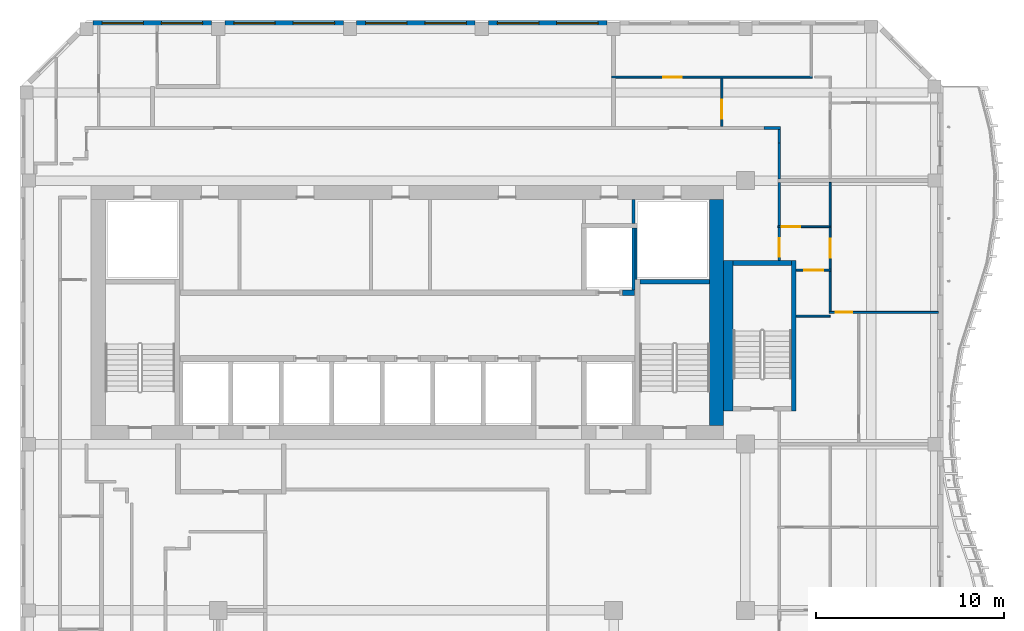
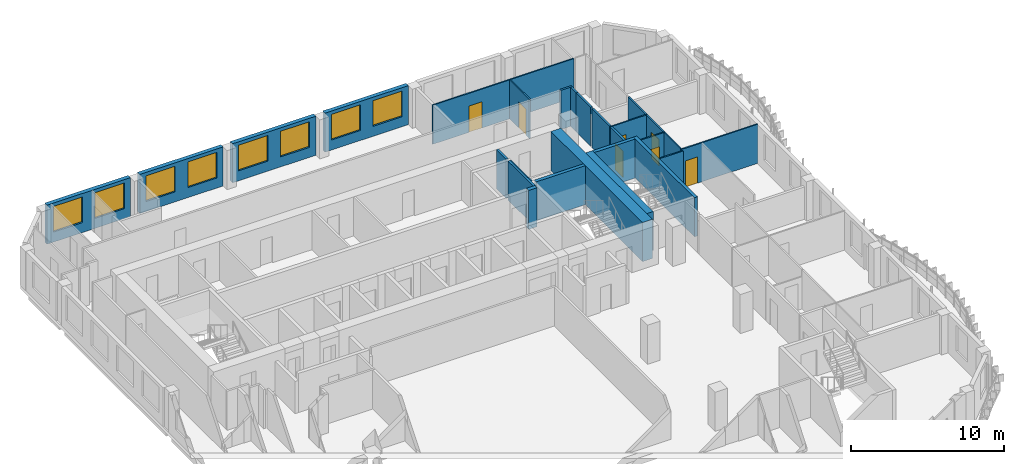
# One storey, part 8 of 19: 27 walls, 8 windows, 7 doors, 15 openings.
"""IFC4 building model written with IfcOpenShell, lengths in metres."""

from ifc_helpers import new_model, si_unit, direction, frame, frame_2d, origin, place, context, subcontext, project, spatial, rectangle, extrude, source, transform, mapped, material, layer, layer_set, type_object, element, fill, save


model = new_model("IFC4")

# Units and contexts
model_context = context("Model", 3, precision=1e-05, world=origin(), true_north=direction((0.0, 1.0)))
body_context = subcontext(model_context, "Body", "Model", "MODEL_VIEW")
ifc_project = project(units=[si_unit("LENGTHUNIT", "METRE"), si_unit("AREAUNIT", "SQUARE_METRE"), si_unit("VOLUMEUNIT", "CUBIC_METRE"), si_unit("PLANEANGLEUNIT", "RADIAN"), si_unit("MASSUNIT", "GRAM", prefix="KILO")], contexts=[model_context])

# Site, building, storey
site_placement = place(None, origin())
site = spatial("IfcSite", under=ifc_project, at=site_placement, CompositionType="ELEMENT")
building_placement = place(site_placement, origin())
building = spatial("IfcBuilding", under=site, at=building_placement, Name="Kilnfold Tower and Market Hall", CompositionType="ELEMENT")
storey_placement = place(building_placement, frame((0.0, 0.0, 245.800048828125)))
storey = spatial("IfcBuildingStorey", under=building, at=storey_placement, Name="L59", CompositionType="ELEMENT", Elevation=245.800048828125)

# Wall, opening, door
ifc_material_1 = material(Name="Gypsum board on steel studs", Category="steel")
ifc_layer_1 = layer(ifc_material_1, 0.14990234375)
ifc_layer_set_1 = layer_set([ifc_layer_1], Name="Gypsum board on steel studs")
wall_type_1 = type_object("IfcWallType", Name="WALL CORRIDOR 150", PredefinedType="PARTITIONING", material=ifc_layer_set_1)
wall_1_placement = place(storey_placement, frame((20.800048828125, 17.75, 0.0), z_axis=(0.0, 0.0, 1.0), x_axis=(0.0, 1.0, 0.0)))
wall_1 = element("IfcWall", 1, at=wall_1_placement, inside=storey, type_object=wall_type_1, Name="Partition LY36.17", PredefinedType="PARTITIONING", context=body_context, shape_type="SweptSolid", body=[
    extrude(rectangle(XDim=1.761962890625, YDim=0.14990234375, at=frame_2d((0.880859375, 0.0))), origin(), (0.0, 0.0, 1.0), 3.119873046875),
])
opening_1_placement = place(wall_1_placement, frame((0.199951171875, 0.0, 0.0)))
opening_1 = element("IfcOpeningElement", 2, at=opening_1_placement, cuts=wall_1, Name="Opening D1", PredefinedType="OPENING", context=body_context, shape_type="SweptSolid", body=[
    extrude(rectangle(XDim=1.0, YDim=2.10009765625, at=frame_2d((0.5, 1.050048828125))), frame((0.0, 0.0849609375, 0.0), z_axis=(0.0, -1.0, 0.0), x_axis=(1.0, 0.0, 0.0)), (0.0, 0.0, 1.0), 0.169921875),
])
ifc_material_2 = material(Name="Timber veneer door leaf in steel frame", Category="steel")
door_type_1 = type_object("IfcDoorType", Name="DOOR ENTRY 1000 X2100", OperationType="NOTDEFINED", PredefinedType="DOOR", material=ifc_material_2)
door_1_placement = place(opening_1_placement, origin())
door_1 = element("IfcDoor", 3, at=door_1_placement, inside=storey, type_object=door_type_1, Name="Door D1", OperationType="SINGLE_SWING_LEFT", OverallHeight=2.10009765625, OverallWidth=1.0, PredefinedType="DOOR", context=body_context, shape_type="SweptSolid", body=[
    extrude(rectangle(XDim=1.0, YDim=2.10009765625, at=frame_2d((0.5, 1.050048828125))), frame((0.0, 0.02490234375, 0.0), z_axis=(0.0, -1.0, 0.0), x_axis=(1.0, 0.0, 0.0)), (0.0, 0.0, 1.0), 0.050048828125),
])
fill(opening_1, door_1)

# Walls
wall_2_placement = place(storey_placement, frame((20.800048828125, 19.592041015625, 0.0), z_axis=(0.0, 0.0, 1.0), x_axis=(0.0, 1.0, 0.0)))
element("IfcWall", 4, at=wall_2_placement, inside=storey, type_object=wall_type_1, Name="Partition LY36.18", PredefinedType="PARTITIONING", context=body_context, shape_type="SweptSolid", body=[
    extrude(rectangle(XDim=2.31787109375, YDim=0.14990234375, at=frame_2d((1.158935546875, 0.0))), origin(), (0.0, 0.0, 1.0), 3.119873046875),
])
wall_3_placement = place(storey_placement, frame((20.876953125, 24.802001953125, 0.0), z_axis=(0.0, 0.0, 1.0), x_axis=(-1.0, 0.0, 0.0)))
element("IfcWall", 5, at=wall_3_placement, inside=storey, type_object=wall_type_1, Name="Partition LY36.19", PredefinedType="PARTITIONING", context=body_context, shape_type="SweptSolid", body=[
    extrude(rectangle(XDim=0.87890625, YDim=0.14990234375, at=frame_2d((0.439453125, 0.0))), origin(), (0.0, 0.0, 1.0), 3.119873046875),
])
wall_4_placement = place(storey_placement, frame((20.802001953125, 23.998046875, 0.0), z_axis=(0.0, 0.0, 1.0), x_axis=(0.0, 1.0, 0.0)))
element("IfcWall", 6, at=wall_4_placement, inside=storey, type_object=wall_type_1, Name="Partition LY36.20", PredefinedType="PARTITIONING", context=body_context, shape_type="SweptSolid", body=[
    extrude(rectangle(XDim=0.72900390625, YDim=0.14990234375, at=frame_2d((0.364501953125, 0.0))), origin(), (0.0, 0.0, 1.0), 3.119873046875),
])
wall_5_placement = place(storey_placement, frame((20.800048828125, 22.090087890625, 0.0), z_axis=(0.0, 0.0, 1.0), x_axis=(0.0, 1.0, 0.0)))
element("IfcWall", 7, at=wall_5_placement, inside=storey, type_object=wall_type_1, Name="Partition LY36.21", PredefinedType="PARTITIONING", context=body_context, shape_type="SweptSolid", body=[
    extrude(rectangle(XDim=1.907958984375, YDim=0.14990234375, at=frame_2d((0.9541015625, 0.0))), origin(), (0.0, 0.0, 1.0), 3.119873046875),
])

# Wall, opening, door
ifc_material_3 = material(Name="Gypsum board on steel studs", Category="steel")
ifc_layer_2 = layer(ifc_material_3, 0.10009765625)
ifc_layer_set_2 = layer_set([ifc_layer_2], Name="Gypsum board on steel studs")
wall_type_2 = type_object("IfcWallType", Name="WALL PARTITION 100", PredefinedType="PARTITIONING", material=ifc_layer_set_2)
wall_6_placement = place(storey_placement, frame((23.451904296875, 15.0, 0.0), z_axis=(0.0, 0.0, 1.0), x_axis=(1.0, 0.0, 0.0)))
wall_6 = element("IfcWall", 8, at=wall_6_placement, inside=storey, type_object=wall_type_2, Name="Partition LY36.77", PredefinedType="PARTITIONING", context=body_context, shape_type="SweptSolid", body=[
    extrude(rectangle(XDim=5.798095703125, YDim=0.10009765625, at=frame_2d((2.89892578125, 0.0))), origin(), (0.0, 0.0, 1.0), 3.119873046875),
])
opening_2_placement = place(wall_6_placement, frame((0.3369140625, 0.0, 0.0)))
opening_2 = element("IfcOpeningElement", 9, at=opening_2_placement, cuts=wall_6, Name="Opening D2", PredefinedType="OPENING", context=body_context, shape_type="SweptSolid", body=[
    extrude(rectangle(XDim=0.89990234375, YDim=2.10009765625, at=frame_2d((0.449951171875, 1.050048828125))), frame((0.0, 0.06005859375, 0.0), z_axis=(0.0, -1.0, 0.0), x_axis=(1.0, 0.0, 0.0)), (0.0, 0.0, 1.0), 0.1201171875),
])
ifc_material_4 = material(Name="Timber veneer door leaf in steel frame", Category="steel")
door_type_2 = type_object("IfcDoorType", Name="DOOR ROOM 900 X2100", OperationType="NOTDEFINED", PredefinedType="DOOR", material=ifc_material_4)
door_2_placement = place(opening_2_placement, origin())
door_2 = element("IfcDoor", 10, at=door_2_placement, inside=storey, type_object=door_type_2, Name="Door D2", OperationType="SINGLE_SWING_LEFT", OverallHeight=2.10009765625, OverallWidth=0.89990234375, PredefinedType="DOOR", context=body_context, shape_type="SweptSolid", body=[
    extrude(rectangle(XDim=0.89990234375, YDim=2.10009765625, at=frame_2d((0.449951171875, 1.050048828125))), frame((0.0, 0.02490234375, 0.0), z_axis=(0.0, -1.0, 0.0), x_axis=(1.0, 0.0, 0.0)), (0.0, 0.0, 1.0), 0.050048828125),
])
fill(opening_2, door_2)

# Walls
wall_7_placement = place(storey_placement, frame((23.5009765625, 14.798095703125, 0.0), z_axis=(0.0, 0.0, 1.0), x_axis=(-1.0, 0.0, 0.0)))
element("IfcWall", 11, at=wall_7_placement, inside=storey, type_object=wall_type_2, Name="Partition LY36.78", PredefinedType="PARTITIONING", context=body_context, shape_type="SweptSolid", body=[
    extrude(rectangle(XDim=1.801025390625, YDim=0.10009765625, at=frame_2d((0.900390625, 0.0))), origin(), (0.0, 0.0, 1.0), 3.119873046875),
])
wall_8_placement = place(storey_placement, frame((23.501953125, 15.050048828125, 0.0), z_axis=(0.0, 0.0, 1.0), x_axis=(0.0, 1.0, 0.0)))
element("IfcWall", 12, at=wall_8_placement, inside=storey, type_object=wall_type_2, Name="Partition LY36.79", PredefinedType="PARTITIONING", context=body_context, shape_type="SweptSolid", body=[
    extrude(rectangle(XDim=2.157958984375, YDim=0.10009765625, at=frame_2d((1.0791015625, 0.0))), origin(), (0.0, 0.0, 1.0), 3.119873046875),
])

# Wall, opening, door
wall_9_placement = place(storey_placement, frame((23.501953125, 17.2880859375, 0.0), z_axis=(0.0, 0.0, 1.0), x_axis=(0.0, 1.0, 0.0)))
wall_9 = element("IfcWall", 13, at=wall_9_placement, inside=storey, type_object=wall_type_2, Name="Partition LY36.80", PredefinedType="PARTITIONING", context=body_context, shape_type="SweptSolid", body=[
    extrude(rectangle(XDim=2.223876953125, YDim=0.10009765625, at=frame_2d((1.11181640625, 0.0))), origin(), (0.0, 0.0, 1.0), 3.119873046875),
])
opening_3_placement = place(wall_9_placement, frame((0.612060546875, 0.0, 0.0)))
opening_3 = element("IfcOpeningElement", 14, at=opening_3_placement, cuts=wall_9, Name="Opening D1", PredefinedType="OPENING", context=body_context, shape_type="SweptSolid", body=[
    extrude(rectangle(XDim=1.0, YDim=2.10009765625, at=frame_2d((0.5, 1.050048828125))), frame((0.0, 0.06005859375, 0.0), z_axis=(0.0, -1.0, 0.0), x_axis=(1.0, 0.0, 0.0)), (0.0, 0.0, 1.0), 0.1201171875),
])
door_3_placement = place(opening_3_placement, origin())
door_3 = element("IfcDoor", 15, at=door_3_placement, inside=storey, type_object=door_type_1, Name="Door D1", OperationType="SINGLE_SWING_RIGHT", OverallHeight=2.10009765625, OverallWidth=1.0, PredefinedType="DOOR", context=body_context, shape_type="SweptSolid", body=[
    extrude(rectangle(XDim=1.0, YDim=2.10009765625, at=frame_2d((0.5, 1.050048828125))), frame((0.0, 0.02490234375, 0.0), z_axis=(0.0, -1.0, 0.0), x_axis=(1.0, 0.0, 0.0)), (0.0, 0.0, 1.0), 0.050048828125),
])
fill(opening_3, door_3)

# Wall
wall_10_placement = place(storey_placement, frame((23.501953125, 19.592041015625, 0.0), z_axis=(0.0, 0.0, 1.0), x_axis=(0.0, 1.0, 0.0)))
element("IfcWall", 16, at=wall_10_placement, inside=storey, type_object=wall_type_2, Name="Partition LY36.81", PredefinedType="PARTITIONING", context=body_context, shape_type="SweptSolid", body=[
    extrude(rectangle(XDim=2.307861328125, YDim=0.10009765625, at=frame_2d((1.15380859375, 0.0))), origin(), (0.0, 0.0, 1.0), 3.119873046875),
])

# Wall, opening, door
wall_11_placement = place(storey_placement, frame((23.550048828125, 17.248046875, 0.0), z_axis=(0.0, 0.0, 1.0), x_axis=(-1.0, 0.0, 0.0)))
wall_11 = element("IfcWall", 17, at=wall_11_placement, inside=storey, type_object=wall_type_2, Name="Partition LY36.82", PredefinedType="PARTITIONING", context=body_context, shape_type="SweptSolid", body=[
    extrude(rectangle(XDim=1.85009765625, YDim=0.10009765625, at=frame_2d((0.925048828125, 0.0))), origin(), (0.0, 0.0, 1.0), 3.119873046875),
])
opening_4_placement = place(wall_11_placement, frame((0.425048828125, 0.0, 0.0)))
opening_4 = element("IfcOpeningElement", 18, at=opening_4_placement, cuts=wall_11, Name="Opening D1", PredefinedType="OPENING", context=body_context, shape_type="SweptSolid", body=[
    extrude(rectangle(XDim=1.0, YDim=2.10009765625, at=frame_2d((0.5, 1.050048828125))), frame((0.0, 0.06005859375, 0.0), z_axis=(0.0, -1.0, 0.0), x_axis=(1.0, 0.0, 0.0)), (0.0, 0.0, 1.0), 0.1201171875),
])
door_4_placement = place(opening_4_placement, origin())
door_4 = element("IfcDoor", 19, at=door_4_placement, inside=storey, type_object=door_type_1, Name="Door D1", OperationType="SINGLE_SWING_RIGHT", OverallHeight=2.10009765625, OverallWidth=1.0, PredefinedType="DOOR", context=body_context, shape_type="SweptSolid", body=[
    extrude(rectangle(XDim=1.0, YDim=2.10009765625, at=frame_2d((0.5, 1.050048828125))), frame((0.0, 0.02490234375, 0.0), z_axis=(0.0, -1.0, 0.0), x_axis=(1.0, 0.0, 0.0)), (0.0, 0.0, 1.0), 0.050048828125),
])
fill(opening_4, door_4)

wall_12_placement = place(storey_placement, frame((23.550048828125, 19.552001953125, 0.0), z_axis=(0.0, 0.0, 1.0), x_axis=(-1.0, 0.0, 0.0)))
wall_12 = element("IfcWall", 20, at=wall_12_placement, inside=storey, type_object=wall_type_2, Name="Partition LY36.83", PredefinedType="PARTITIONING", context=body_context, shape_type="SweptSolid", body=[
    extrude(rectangle(XDim=2.822998046875, YDim=0.10009765625, at=frame_2d((1.41162109375, 0.0))), origin(), (0.0, 0.0, 1.0), 3.119873046875),
])
opening_5_placement = place(wall_12_placement, frame((1.623046875, 0.0, 0.0)))
opening_5 = element("IfcOpeningElement", 21, at=opening_5_placement, cuts=wall_12, Name="Opening D1", PredefinedType="OPENING", context=body_context, shape_type="SweptSolid", body=[
    extrude(rectangle(XDim=1.0, YDim=2.10009765625, at=frame_2d((0.5, 1.050048828125))), frame((0.0, 0.06005859375, 0.0), z_axis=(0.0, -1.0, 0.0), x_axis=(1.0, 0.0, 0.0)), (0.0, 0.0, 1.0), 0.1201171875),
])
door_5_placement = place(opening_5_placement, origin())
door_5 = element("IfcDoor", 22, at=door_5_placement, inside=storey, type_object=door_type_1, Name="Door D1", OperationType="SINGLE_SWING_LEFT", OverallHeight=2.10009765625, OverallWidth=1.0, PredefinedType="DOOR", context=body_context, shape_type="SweptSolid", body=[
    extrude(rectangle(XDim=1.0, YDim=2.10009765625, at=frame_2d((0.5, 1.050048828125))), frame((0.0, 0.02490234375, 0.0), z_axis=(0.0, -1.0, 0.0), x_axis=(1.0, 0.0, 0.0)), (0.0, 0.0, 1.0), 0.050048828125),
])
fill(opening_5, door_5)

wall_13_placement = place(storey_placement, frame((17.75, 24.876953125, 0.0), z_axis=(0.0, 0.0, 1.0), x_axis=(0.0, 1.0, 0.0)))
wall_13 = element("IfcWall", 23, at=wall_13_placement, inside=storey, type_object=wall_type_2, Name="Partition LY36.85", PredefinedType="PARTITIONING", context=body_context, shape_type="SweptSolid", body=[
    extrude(rectangle(XDim=2.572998046875, YDim=0.10009765625, at=frame_2d((1.28662109375, 0.0))), origin(), (0.0, 0.0, 1.0), 3.119873046875),
])
opening_6_placement = place(wall_13_placement, frame((0.4130859375, 0.0, 0.0)))
opening_6 = element("IfcOpeningElement", 24, at=opening_6_placement, cuts=wall_13, Name="Opening D1", PredefinedType="OPENING", context=body_context, shape_type="SweptSolid", body=[
    extrude(rectangle(XDim=1.0, YDim=2.10009765625, at=frame_2d((0.5, 1.050048828125))), frame((0.0, 0.06005859375, 0.0), z_axis=(0.0, -1.0, 0.0), x_axis=(1.0, 0.0, 0.0)), (0.0, 0.0, 1.0), 0.1201171875),
])
door_6_placement = place(opening_6_placement, origin())
door_6 = element("IfcDoor", 25, at=door_6_placement, inside=storey, type_object=door_type_1, Name="Door D1", OperationType="SINGLE_SWING_LEFT", OverallHeight=2.10009765625, OverallWidth=1.0, PredefinedType="DOOR", context=body_context, shape_type="SweptSolid", body=[
    extrude(rectangle(XDim=1.0, YDim=2.10009765625, at=frame_2d((0.5, 1.050048828125))), frame((0.0, 0.02490234375, 0.0), z_axis=(0.0, -1.0, 0.0), x_axis=(1.0, 0.0, 0.0)), (0.0, 0.0, 1.0), 0.050048828125),
])
fill(opening_6, door_6)

wall_14_placement = place(storey_placement, frame((11.89990234375, 27.5, 0.0), z_axis=(0.0, 0.0, 1.0), x_axis=(1.0, 0.0, 0.0)))
wall_14 = element("IfcWall", 26, at=wall_14_placement, inside=storey, type_object=wall_type_2, Name="Partition LY36.86", PredefinedType="PARTITIONING", context=body_context, shape_type="SweptSolid", body=[
    extrude(rectangle(XDim=10.66015625, YDim=0.10009765625, at=frame_2d((5.330078125, 0.0))), origin(), (0.0, 0.0, 1.0), 3.119873046875),
])
opening_7_placement = place(wall_14_placement, frame((2.72802734375, 0.0, 0.0)))
opening_7 = element("IfcOpeningElement", 27, at=opening_7_placement, cuts=wall_14, Name="Opening D1", PredefinedType="OPENING", context=body_context, shape_type="SweptSolid", body=[
    extrude(rectangle(XDim=1.0, YDim=2.10009765625, at=frame_2d((0.5, 1.050048828125))), frame((0.0, 0.06005859375, 0.0), z_axis=(0.0, -1.0, 0.0), x_axis=(1.0, 0.0, 0.0)), (0.0, 0.0, 1.0), 0.1201171875),
])
door_7_placement = place(opening_7_placement, origin())
door_7 = element("IfcDoor", 28, at=door_7_placement, inside=storey, type_object=door_type_1, Name="Door D1", OperationType="SINGLE_SWING_RIGHT", OverallHeight=2.10009765625, OverallWidth=1.0, PredefinedType="DOOR", context=body_context, shape_type="SweptSolid", body=[
    extrude(rectangle(XDim=1.0, YDim=2.10009765625, at=frame_2d((0.5, 1.050048828125))), frame((0.0, 0.02490234375, 0.0), z_axis=(0.0, -1.0, 0.0), x_axis=(1.0, 0.0, 0.0)), (0.0, 0.0, 1.0), 0.050048828125),
])
fill(opening_7, door_7)

# Walls
ifc_material_5 = material(Name="Concrete C60", Category="concrete")
ifc_layer_3 = layer(ifc_material_5, 0.25)
ifc_layer_set_3 = layer_set([ifc_layer_3], Name="Concrete C60")
wall_type_3 = type_object("IfcWallType", Name="CORE WALL 250 C60", PredefinedType="SHEAR", material=ifc_layer_set_3)
shared_shape_1 = source(origin(), body_context, "Body", "SweptSolid", [
    extrude(rectangle(XDim=3.7001953125, YDim=0.25, at=frame_2d((1.85009765625, 0.0))), origin(), (0.0, 0.0, 1.0), 3.119873046875),
])
wall_15_placement = place(storey_placement, frame((13.39990234375, 16.625, 0.0), z_axis=(0.0, 0.0, 1.0), x_axis=(1.0, 0.0, 0.0)))
element("IfcWall", 29, at=wall_15_placement, inside=storey, type_object=wall_type_3, Name="Stair enclosure ST2", PredefinedType="SHEAR", context=body_context, shape_type="MappedRepresentation", body=[
    mapped(shared_shape_1, transform((0.0, 0.0, 0.0))),
])
shared_shape_2 = source(origin(), body_context, "Body", "SweptSolid", [
    extrude(rectangle(XDim=8.0, YDim=0.25, at=frame_2d((4.0, 0.0))), origin(), (0.0, 0.0, 1.0), 3.119873046875),
])
wall_16_placement = place(storey_placement, frame((21.574951171875, 9.75, 0.0), z_axis=(0.0, 0.0, 1.0), x_axis=(0.0, 1.0, 0.0)))
element("IfcWall", 30, at=wall_16_placement, inside=storey, type_object=wall_type_3, Name="Stair enclosure ST5", PredefinedType="SHEAR", context=body_context, shape_type="MappedRepresentation", body=[
    mapped(shared_shape_2, transform((0.0, 0.0, 0.0))),
])
shared_shape_3 = source(origin(), body_context, "Body", "SweptSolid", [
    extrude(rectangle(XDim=3.099853515625, YDim=0.25, at=frame_2d((1.5498046875, 0.0))), origin(), (0.0, 0.0, 1.0), 3.119873046875),
])
wall_17_placement = place(storey_placement, frame((18.35009765625, 17.625, 0.0), z_axis=(0.0, 0.0, 1.0), x_axis=(1.0, 0.0, 0.0)))
element("IfcWall", 31, at=wall_17_placement, inside=storey, type_object=wall_type_3, Name="Stair enclosure ST5", PredefinedType="SHEAR", context=body_context, shape_type="MappedRepresentation", body=[
    mapped(shared_shape_3, transform((0.0, 0.0, 0.0))),
])
ifc_material_6 = material(Name="Concrete C60", Category="concrete")
ifc_layer_4 = layer(ifc_material_6, 0.300048828125)
ifc_layer_set_4 = layer_set([ifc_layer_4], Name="Concrete C60")
wall_type_4 = type_object("IfcWallType", Name="CORE WALL 300 C60", PredefinedType="SHEAR", material=ifc_layer_set_4)
shared_shape_4 = source(origin(), body_context, "Body", "SweptSolid", [
    extrude(rectangle(XDim=0.64013671875, YDim=0.300048828125, at=frame_2d((0.320068359375, 0.0))), origin(), (0.0, 0.0, 1.0), 3.119873046875),
])
wall_18_placement = place(storey_placement, frame((12.469970703125, 16.050048828125, 0.0), z_axis=(0.0, 0.0, 1.0), x_axis=(1.0, 0.0, 0.0)))
element("IfcWall", 32, at=wall_18_placement, inside=storey, type_object=wall_type_4, Name="Core spine wall", PredefinedType="SHEAR", context=body_context, shape_type="MappedRepresentation", body=[
    mapped(shared_shape_4, transform((0.0, 0.0, 0.0))),
])
ifc_material_7 = material(Name="Concrete C60", Category="concrete")
ifc_layer_5 = layer(ifc_material_7, 0.75)
ifc_layer_set_5 = layer_set([ifc_layer_5], Name="Concrete C60")
wall_type_5 = type_object("IfcWallType", Name="CORE WALL 750 C60", PredefinedType="SHEAR", material=ifc_layer_set_5)
shared_shape_5 = source(origin(), body_context, "Body", "SweptSolid", [
    extrude(rectangle(XDim=12.0, YDim=0.75, at=frame_2d((6.0, 0.0))), origin(), (0.0, 0.0, 1.0), 3.119873046875),
])
wall_19_placement = place(storey_placement, frame((17.47509765625, 9.0, 0.0), z_axis=(0.0, 0.0, 1.0), x_axis=(0.0, 1.0, 0.0)))
element("IfcWall", 33, at=wall_19_placement, inside=storey, type_object=wall_type_5, Name="Core outer wall east", PredefinedType="SHEAR", context=body_context, shape_type="MappedRepresentation", body=[
    mapped(shared_shape_5, transform((0.0, 0.0, 0.0))),
])
ifc_material_8 = material(Name="Concrete C60", Category="concrete")
ifc_layer_6 = layer(ifc_material_8, 0.5)
ifc_layer_set_6 = layer_set([ifc_layer_6], Name="Concrete C60")
wall_type_6 = type_object("IfcWallType", Name="CORE WALL 500 C60", PredefinedType="SHEAR", material=ifc_layer_set_6)
shared_shape_6 = source(origin(), body_context, "Body", "SweptSolid", [
    extrude(rectangle(XDim=8.0, YDim=0.5, at=frame_2d((4.0, 0.0))), origin(), (0.0, 0.0, 1.0), 3.119873046875),
])
wall_20_placement = place(storey_placement, frame((18.10009765625, 9.75, 0.0), z_axis=(0.0, 0.0, 1.0), x_axis=(0.0, 1.0, 0.0)))
element("IfcWall", 34, at=wall_20_placement, inside=storey, type_object=wall_type_6, Name="Stair enclosure ST5", PredefinedType="SHEAR", context=body_context, shape_type="MappedRepresentation", body=[
    mapped(shared_shape_6, transform((0.0, 0.0, 0.0))),
])

# Wall, openings, windows
ifc_material_9 = material(Name="Precast concrete C50/60", Category="concrete")
ifc_layer_7 = layer(ifc_material_9, 0.300048828125)
ifc_layer_set_7 = layer_set([ifc_layer_7], Name="Precast concrete C50/60")
wall_type_7 = type_object("IfcWallType", Name="PRECAST WALL 300", PredefinedType="SOLIDWALL", material=ifc_layer_set_7)
shared_shape_7 = source(origin(), body_context, "Body", "SweptSolid", [
    extrude(rectangle(XDim=6.2998046875, YDim=0.300048828125, at=frame_2d((3.14990234375, 0.0))), origin(), (0.0, 0.0, 1.0), 3.119873046875),
])
wall_21_placement = place(storey_placement, frame((11.64990234375, 30.35009765625, 0.0), z_axis=(0.0, 0.0, 1.0), x_axis=(-1.0, 0.0, 0.0)))
wall_21 = element("IfcWall", 35, at=wall_21_placement, inside=storey, type_object=wall_type_7, Name="External wall L59 N", PredefinedType="SOLIDWALL", context=body_context, shape_type="MappedRepresentation", body=[
    mapped(shared_shape_7, transform((0.0, 0.0, 0.0))),
])
opening_8_placement = place(wall_21_placement, frame((0.47509765625, 0.0, 0.800048828125)))
opening_8 = element("IfcOpeningElement", 36, at=opening_8_placement, cuts=wall_21, Name="Opening W3", PredefinedType="OPENING", context=body_context, shape_type="SweptSolid", body=[
    extrude(rectangle(XDim=2.199951171875, YDim=2.050048828125, at=frame_2d((1.10009765625, 1.02490234375))), frame((0.0, 0.16015625, 0.0), z_axis=(0.0, -1.0, 0.0), x_axis=(1.0, 0.0, 0.0)), (0.0, 0.0, 1.0), 0.320068359375),
])
opening_9_placement = place(wall_21_placement, frame((3.625, 0.0, 0.800048828125)))
opening_9 = element("IfcOpeningElement", 37, at=opening_9_placement, cuts=wall_21, Name="Opening W3", PredefinedType="OPENING", context=body_context, shape_type="SweptSolid", body=[
    extrude(rectangle(XDim=2.199951171875, YDim=2.050048828125, at=frame_2d((1.10009765625, 1.02490234375))), frame((0.0, 0.16015625, 0.0), z_axis=(0.0, -1.0, 0.0), x_axis=(1.0, 0.0, 0.0)), (0.0, 0.0, 1.0), 0.320068359375),
])
ifc_material_10 = material(Name="Aluminium frame and double glazing", Category="aluminium")
window_type = type_object("IfcWindowType", Name="WINDOW W3 2200X2050", PartitioningType="SINGLE_PANEL", PredefinedType="WINDOW", material=ifc_material_10)
window_1_placement = place(opening_8_placement, origin())
window_1 = element("IfcWindow", 38, at=window_1_placement, inside=storey, type_object=window_type, Name="Window W3 L59 N-1", OverallHeight=2.050048828125, OverallWidth=2.199951171875, PartitioningType="SINGLE_PANEL", PredefinedType="WINDOW", context=body_context, shape_type="SweptSolid", body=[
    extrude(rectangle(XDim=2.199951171875, YDim=2.050048828125, at=frame_2d((1.10009765625, 1.02490234375))), frame((0.0, 0.030029296875, 0.0), z_axis=(0.0, -1.0, 0.0), x_axis=(1.0, 0.0, 0.0)), (0.0, 0.0, 1.0), 0.06005859375),
])
fill(opening_8, window_1)
window_2_placement = place(opening_9_placement, origin())
window_2 = element("IfcWindow", 39, at=window_2_placement, inside=storey, type_object=window_type, Name="Window W3 L59 N-2", OverallHeight=2.050048828125, OverallWidth=2.199951171875, PartitioningType="SINGLE_PANEL", PredefinedType="WINDOW", context=body_context, shape_type="SweptSolid", body=[
    extrude(rectangle(XDim=2.199951171875, YDim=2.050048828125, at=frame_2d((1.10009765625, 1.02490234375))), frame((0.0, 0.030029296875, 0.0), z_axis=(0.0, -1.0, 0.0), x_axis=(1.0, 0.0, 0.0)), (0.0, 0.0, 1.0), 0.06005859375),
])
fill(opening_9, window_2)

wall_22_placement = place(storey_placement, frame((4.64990234375, 30.35009765625, 0.0), z_axis=(0.0, 0.0, 1.0), x_axis=(-1.0, 0.0, 0.0)))
wall_22 = element("IfcWall", 40, at=wall_22_placement, inside=storey, type_object=wall_type_7, Name="External wall L59 N", PredefinedType="SOLIDWALL", context=body_context, shape_type="MappedRepresentation", body=[
    mapped(shared_shape_7, transform((0.0, 0.0, 0.0))),
])
opening_10_placement = place(wall_22_placement, frame((0.47509765625, 0.0, 0.800048828125)))
opening_10 = element("IfcOpeningElement", 41, at=opening_10_placement, cuts=wall_22, Name="Opening W3", PredefinedType="OPENING", context=body_context, shape_type="SweptSolid", body=[
    extrude(rectangle(XDim=2.199951171875, YDim=2.050048828125, at=frame_2d((1.10009765625, 1.02490234375))), frame((0.0, 0.16015625, 0.0), z_axis=(0.0, -1.0, 0.0), x_axis=(1.0, 0.0, 0.0)), (0.0, 0.0, 1.0), 0.320068359375),
])
opening_11_placement = place(wall_22_placement, frame((3.625, 0.0, 0.800048828125)))
opening_11 = element("IfcOpeningElement", 42, at=opening_11_placement, cuts=wall_22, Name="Opening W3", PredefinedType="OPENING", context=body_context, shape_type="SweptSolid", body=[
    extrude(rectangle(XDim=2.199951171875, YDim=2.050048828125, at=frame_2d((1.10009765625, 1.02490234375))), frame((0.0, 0.16015625, 0.0), z_axis=(0.0, -1.0, 0.0), x_axis=(1.0, 0.0, 0.0)), (0.0, 0.0, 1.0), 0.320068359375),
])
window_3_placement = place(opening_10_placement, origin())
window_3 = element("IfcWindow", 43, at=window_3_placement, inside=storey, type_object=window_type, Name="Window W3 L59 N-1", OverallHeight=2.050048828125, OverallWidth=2.199951171875, PartitioningType="SINGLE_PANEL", PredefinedType="WINDOW", context=body_context, shape_type="SweptSolid", body=[
    extrude(rectangle(XDim=2.199951171875, YDim=2.050048828125, at=frame_2d((1.10009765625, 1.02490234375))), frame((0.0, 0.030029296875, 0.0), z_axis=(0.0, -1.0, 0.0), x_axis=(1.0, 0.0, 0.0)), (0.0, 0.0, 1.0), 0.06005859375),
])
fill(opening_10, window_3)
window_4_placement = place(opening_11_placement, origin())
window_4 = element("IfcWindow", 44, at=window_4_placement, inside=storey, type_object=window_type, Name="Window W3 L59 N-2", OverallHeight=2.050048828125, OverallWidth=2.199951171875, PartitioningType="SINGLE_PANEL", PredefinedType="WINDOW", context=body_context, shape_type="SweptSolid", body=[
    extrude(rectangle(XDim=2.199951171875, YDim=2.050048828125, at=frame_2d((1.10009765625, 1.02490234375))), frame((0.0, 0.030029296875, 0.0), z_axis=(0.0, -1.0, 0.0), x_axis=(1.0, 0.0, 0.0)), (0.0, 0.0, 1.0), 0.06005859375),
])
fill(opening_11, window_4)

wall_23_placement = place(storey_placement, frame((-2.35009765625, 30.35009765625, 0.0), z_axis=(0.0, 0.0, 1.0), x_axis=(-1.0, 0.0, 0.0)))
wall_23 = element("IfcWall", 45, at=wall_23_placement, inside=storey, type_object=wall_type_7, Name="External wall L59 N", PredefinedType="SOLIDWALL", context=body_context, shape_type="MappedRepresentation", body=[
    mapped(shared_shape_7, transform((0.0, 0.0, 0.0))),
])
opening_12_placement = place(wall_23_placement, frame((0.47509765625, 0.0, 0.800048828125)))
opening_12 = element("IfcOpeningElement", 46, at=opening_12_placement, cuts=wall_23, Name="Opening W3", PredefinedType="OPENING", context=body_context, shape_type="SweptSolid", body=[
    extrude(rectangle(XDim=2.199951171875, YDim=2.050048828125, at=frame_2d((1.10009765625, 1.02490234375))), frame((0.0, 0.16015625, 0.0), z_axis=(0.0, -1.0, 0.0), x_axis=(1.0, 0.0, 0.0)), (0.0, 0.0, 1.0), 0.320068359375),
])
opening_13_placement = place(wall_23_placement, frame((3.625, 0.0, 0.800048828125)))
opening_13 = element("IfcOpeningElement", 47, at=opening_13_placement, cuts=wall_23, Name="Opening W3", PredefinedType="OPENING", context=body_context, shape_type="SweptSolid", body=[
    extrude(rectangle(XDim=2.199951171875, YDim=2.050048828125, at=frame_2d((1.10009765625, 1.02490234375))), frame((0.0, 0.16015625, 0.0), z_axis=(0.0, -1.0, 0.0), x_axis=(1.0, 0.0, 0.0)), (0.0, 0.0, 1.0), 0.320068359375),
])
window_5_placement = place(opening_12_placement, origin())
window_5 = element("IfcWindow", 48, at=window_5_placement, inside=storey, type_object=window_type, Name="Window W3 L59 N-1", OverallHeight=2.050048828125, OverallWidth=2.199951171875, PartitioningType="SINGLE_PANEL", PredefinedType="WINDOW", context=body_context, shape_type="SweptSolid", body=[
    extrude(rectangle(XDim=2.199951171875, YDim=2.050048828125, at=frame_2d((1.10009765625, 1.02490234375))), frame((0.0, 0.030029296875, 0.0), z_axis=(0.0, -1.0, 0.0), x_axis=(1.0, 0.0, 0.0)), (0.0, 0.0, 1.0), 0.06005859375),
])
fill(opening_12, window_5)
window_6_placement = place(opening_13_placement, origin())
window_6 = element("IfcWindow", 49, at=window_6_placement, inside=storey, type_object=window_type, Name="Window W3 L59 N-2", OverallHeight=2.050048828125, OverallWidth=2.199951171875, PartitioningType="SINGLE_PANEL", PredefinedType="WINDOW", context=body_context, shape_type="SweptSolid", body=[
    extrude(rectangle(XDim=2.199951171875, YDim=2.050048828125, at=frame_2d((1.10009765625, 1.02490234375))), frame((0.0, 0.030029296875, 0.0), z_axis=(0.0, -1.0, 0.0), x_axis=(1.0, 0.0, 0.0)), (0.0, 0.0, 1.0), 0.06005859375),
])
fill(opening_13, window_6)

wall_24_placement = place(storey_placement, frame((-9.35009765625, 30.35009765625, 0.0), z_axis=(0.0, 0.0, 1.0), x_axis=(-1.0, 0.0, 0.0)))
wall_24 = element("IfcWall", 50, at=wall_24_placement, inside=storey, type_object=wall_type_7, Name="External wall L59 N", PredefinedType="SOLIDWALL", context=body_context, shape_type="MappedRepresentation", body=[
    mapped(shared_shape_7, transform((0.0, 0.0, 0.0))),
])
opening_14_placement = place(wall_24_placement, frame((0.47509765625, 0.0, 0.800048828125)))
opening_14 = element("IfcOpeningElement", 51, at=opening_14_placement, cuts=wall_24, Name="Opening W3", PredefinedType="OPENING", context=body_context, shape_type="SweptSolid", body=[
    extrude(rectangle(XDim=2.199951171875, YDim=2.050048828125, at=frame_2d((1.10009765625, 1.02490234375))), frame((0.0, 0.16015625, 0.0), z_axis=(0.0, -1.0, 0.0), x_axis=(1.0, 0.0, 0.0)), (0.0, 0.0, 1.0), 0.320068359375),
])
opening_15_placement = place(wall_24_placement, frame((3.625, 0.0, 0.800048828125)))
opening_15 = element("IfcOpeningElement", 52, at=opening_15_placement, cuts=wall_24, Name="Opening W3", PredefinedType="OPENING", context=body_context, shape_type="SweptSolid", body=[
    extrude(rectangle(XDim=2.199951171875, YDim=2.050048828125, at=frame_2d((1.10009765625, 1.02490234375))), frame((0.0, 0.16015625, 0.0), z_axis=(0.0, -1.0, 0.0), x_axis=(1.0, 0.0, 0.0)), (0.0, 0.0, 1.0), 0.320068359375),
])
window_7_placement = place(opening_14_placement, origin())
window_7 = element("IfcWindow", 53, at=window_7_placement, inside=storey, type_object=window_type, Name="Window W3 L59 N-1", OverallHeight=2.050048828125, OverallWidth=2.199951171875, PartitioningType="SINGLE_PANEL", PredefinedType="WINDOW", context=body_context, shape_type="SweptSolid", body=[
    extrude(rectangle(XDim=2.199951171875, YDim=2.050048828125, at=frame_2d((1.10009765625, 1.02490234375))), frame((0.0, 0.030029296875, 0.0), z_axis=(0.0, -1.0, 0.0), x_axis=(1.0, 0.0, 0.0)), (0.0, 0.0, 1.0), 0.06005859375),
])
fill(opening_14, window_7)
window_8_placement = place(opening_15_placement, origin())
window_8 = element("IfcWindow", 54, at=window_8_placement, inside=storey, type_object=window_type, Name="Window W3 L59 N-2", OverallHeight=2.050048828125, OverallWidth=2.199951171875, PartitioningType="SINGLE_PANEL", PredefinedType="WINDOW", context=body_context, shape_type="SweptSolid", body=[
    extrude(rectangle(XDim=2.199951171875, YDim=2.050048828125, at=frame_2d((1.10009765625, 1.02490234375))), frame((0.0, 0.030029296875, 0.0), z_axis=(0.0, -1.0, 0.0), x_axis=(1.0, 0.0, 0.0)), (0.0, 0.0, 1.0), 0.06005859375),
])
fill(opening_15, window_8)

# Walls
ifc_material_11 = material(Name="Gypsum shaft wall system")
ifc_layer_8 = layer(ifc_material_11, 0.1650390625)
ifc_layer_set_8 = layer_set([ifc_layer_8], Name="Gypsum shaft wall system")
wall_type_8 = type_object("IfcWallType", Name="SHAFT WALL 165", PredefinedType="PARTITIONING", material=ifc_layer_set_8)
shared_shape_8 = source(origin(), body_context, "Body", "SweptSolid", [
    extrude(rectangle(XDim=3.275146484375, YDim=0.1650390625, at=frame_2d((1.6376953125, 0.0))), origin(), (0.0, 0.0, 1.0), 3.119873046875),
])
wall_25_placement = place(storey_placement, frame((13.0673828125, 16.199951171875, 0.0), z_axis=(0.0, 0.0, 1.0), x_axis=(0.0, 1.0, 0.0)))
element("IfcWall", 55, at=wall_25_placement, inside=storey, type_object=wall_type_8, Name="Lift shaft wall", PredefinedType="PARTITIONING", context=body_context, shape_type="MappedRepresentation", body=[
    mapped(shared_shape_8, transform((0.0, 0.0, 0.0))),
])
shared_shape_9 = source(origin(), body_context, "Body", "SweptSolid", [
    extrude(rectangle(XDim=1.27490234375, YDim=0.1650390625, at=frame_2d((0.637451171875, 0.0))), origin(), (0.0, 0.0, 1.0), 3.119873046875),
])
wall_26_placement = place(storey_placement, frame((13.0673828125, 19.72509765625, 0.0), z_axis=(0.0, 0.0, 1.0), x_axis=(0.0, 1.0, 0.0)))
element("IfcWall", 56, at=wall_26_placement, inside=storey, type_object=wall_type_8, Name="Lift shaft wall", PredefinedType="PARTITIONING", context=body_context, shape_type="MappedRepresentation", body=[
    mapped(shared_shape_9, transform((0.0, 0.0, 0.0))),
])
ifc_material_12 = material(Name="Gypsum shaft wall system")
ifc_layer_9 = layer(ifc_material_12, 0.0849609375)
ifc_layer_set_9 = layer_set([ifc_layer_9], Name="Gypsum shaft wall system")
wall_type_9 = type_object("IfcWallType", Name="SHAFT WALL 85", PredefinedType="PARTITIONING", material=ifc_layer_set_9)
shared_shape_10 = source(origin(), body_context, "Body", "SweptSolid", [
    extrude(rectangle(XDim=2.72509765625, YDim=0.0849609375, at=frame_2d((1.362548828125, 0.0))), origin(), (0.0, 0.0, 1.0), 3.119873046875),
])
wall_27_placement = place(storey_placement, frame((13.1923828125, 16.75, 0.0), z_axis=(0.0, 0.0, 1.0), x_axis=(0.0, 1.0, 0.0)))
element("IfcWall", 57, at=wall_27_placement, inside=storey, type_object=wall_type_9, Name="Lift shaft wall", PredefinedType="PARTITIONING", context=body_context, shape_type="MappedRepresentation", body=[
    mapped(shared_shape_10, transform((0.0, 0.0, 0.0))),
])

save(model, "model.ifc")
